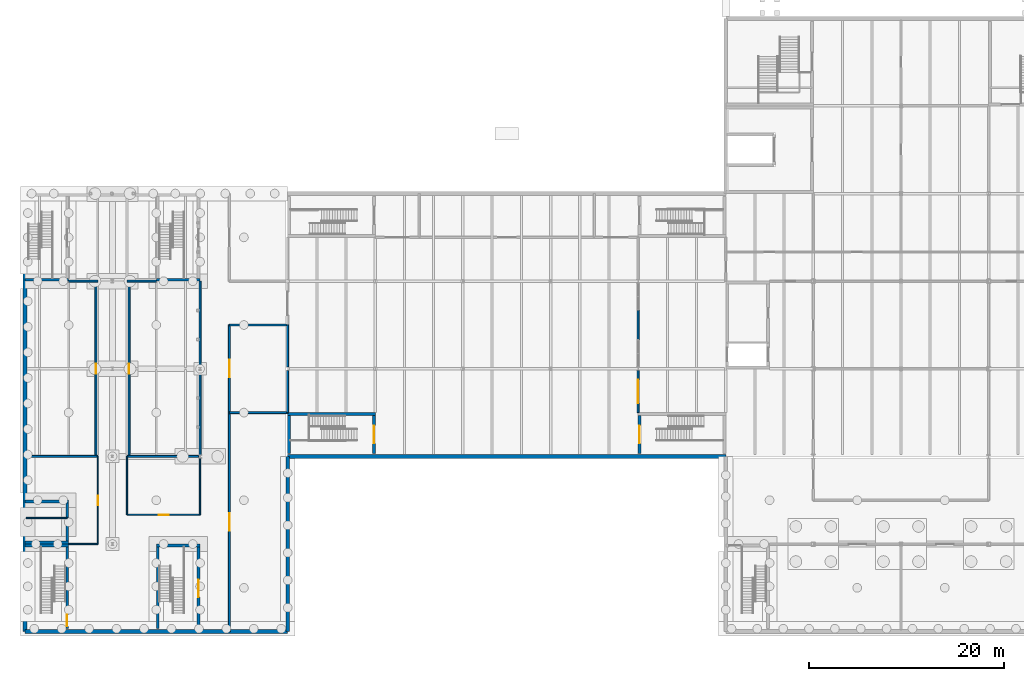
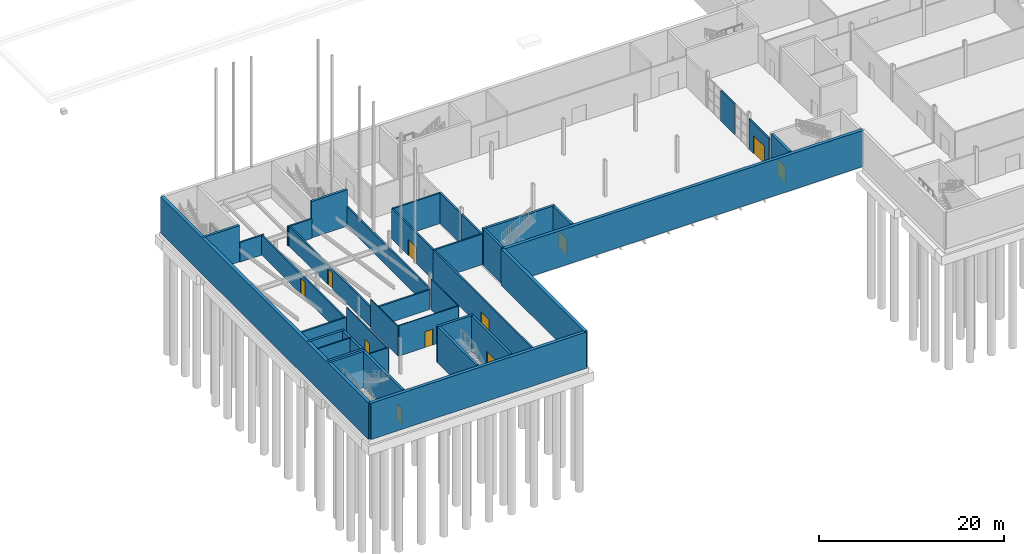
# One storey, part 16 of 31: 40 walls, 11 doors, 11 openings.
"""IFC4 building model written with IfcOpenShell, lengths in metres."""

from ifc_helpers import new_model, si_unit, direction, frame, frame_2d, origin, origin_with_axes, place, context, subcontext, project, spatial, rectangle, extrude, material, layer, layer_set, type_object, element, fill, save


model = new_model("IFC4")

# Units and contexts
model_context = context("Model", 3, precision=1e-05, world=origin(), true_north=direction((0.0, 1.0)))
body_context = subcontext(model_context, "Body", "Model", "MODEL_VIEW")
ifc_project = project(units=[si_unit("LENGTHUNIT", "METRE"), si_unit("AREAUNIT", "SQUARE_METRE"), si_unit("VOLUMEUNIT", "CUBIC_METRE"), si_unit("PLANEANGLEUNIT", "RADIAN"), si_unit("MASSUNIT", "GRAM", prefix="KILO")], contexts=[model_context])

# Site, building, storey
site_placement = place(None, origin())
site = spatial("IfcSite", under=ifc_project, at=site_placement, CompositionType="ELEMENT")
building_placement = place(site_placement, origin())
building = spatial("IfcBuilding", under=site, at=building_placement, Name="Halyard Row Museum", CompositionType="ELEMENT")
storey_placement = place(building_placement, frame((0.0, 0.0, -4.800048828125)))
storey = spatial("IfcBuildingStorey", under=building, at=storey_placement, Name="B1", CompositionType="ELEMENT", Elevation=-4.800048828125)

# Walls
ifc_material_1 = material(Name="Concrete 40 MPa", Category="concrete")
ifc_layer_1 = layer(ifc_material_1, 0.39990234375)
ifc_layer_set_1 = layer_set([ifc_layer_1], Name="Concrete 40 MPa")
wall_type_1 = type_object("IfcWallType", Name="Basement retaining wall", PredefinedType="SOLIDWALL", material=ifc_layer_set_1)
wall_1_placement = place(storey_placement, frame((27.0, 0.0, 0.0), z_axis=(0.0, 0.0, 1.0), x_axis=(0.0, 1.0, 0.0)))
element("IfcWall", 1, at=wall_1_placement, inside=storey, type_object=wall_type_1, Name="Retaining wall B1 E1", PredefinedType="SOLIDWALL", context=body_context, shape_type="SweptSolid", body=[
    extrude(rectangle(XDim=18.0, YDim=0.39990234375, at=frame_2d((9.0, 0.0))), origin(), (0.0, 0.0, 1.0), 4.800048828125),
])
wall_2_placement = place(storey_placement, origin_with_axes())
element("IfcWall", 2, at=wall_2_placement, inside=storey, type_object=wall_type_1, Name="Retaining wall B1 N1", PredefinedType="SOLIDWALL", context=body_context, shape_type="SweptSolid", body=[
    extrude(rectangle(XDim=27.0, YDim=0.39990234375, at=frame_2d((13.5, 0.0))), origin(), (0.0, 0.0, 1.0), 4.800048828125),
])
for number, where, z_axis, x_axis, name in (
    (3, (27.0, 18.0, 0.0), (0.0, 0.0, 1.0), (1.0, 0.0, 0.0), "Retaining wall B1 N3"),
    (4, (0.0, 0.0, 0.0), (0.0, 0.0, 1.0), (0.0, 1.0, 0.0), "Retaining wall B1 W1"),
):
    element("IfcWall", number, at=place(storey_placement, frame(where, z_axis=z_axis, x_axis=x_axis)), inside=storey, type_object=wall_type_1, Name=name, PredefinedType="SOLIDWALL", context=body_context, shape_type="SweptSolid", body=[
        extrude(rectangle(XDim=45.0, YDim=0.39990234375, at=frame_2d((22.5, 0.0))), origin(), (0.0, 0.0, 1.0), 4.800048828125),
    ])

# Wall, opening, door
ifc_material_2 = material(Name="Concrete masonry 15 MPa", Category="masonry")
ifc_layer_2 = layer(ifc_material_2, 0.199951171875)
ifc_layer_set_2 = layer_set([ifc_layer_2], Name="Concrete masonry 15 MPa")
wall_type_2 = type_object("IfcWallType", Name="Blockwork wall 200 fire rated", PredefinedType="PARTITIONING", material=ifc_layer_set_2)
wall_3_placement = place(storey_placement, frame((7.291015625, 18.0, 0.0), z_axis=(0.0, 0.0, 1.0), x_axis=(0.0, 1.0, 0.0)))
wall_3 = element("IfcWall", 5, at=wall_3_placement, inside=storey, type_object=wall_type_2, Name="Partition Service Link / Scenery Store West", PredefinedType="PARTITIONING", context=body_context, shape_type="SweptSolid", body=[
    extrude(rectangle(XDim=18.0, YDim=0.199951171875, at=frame_2d((9.0, 0.0))), origin(), (0.0, 0.0, 1.0), 2.60009765625),
])
opening_1_placement = place(wall_3_placement, frame((8.510009765625, 0.0, 0.0)))
opening_1 = element("IfcOpeningElement", 6, at=opening_1_placement, cuts=wall_3, Name="Opening DB1-027", PredefinedType="OPENING", context=body_context, shape_type="SweptSolid", body=[
    extrude(rectangle(XDim=1.0, YDim=2.10009765625, at=frame_2d((0.5, 1.050048828125))), frame((0.0, 0.10986328125, 0.0), z_axis=(0.0, -1.0, 0.0), x_axis=(1.0, 0.0, 0.0)), (0.0, 0.0, 1.0), 0.219970703125),
])
ifc_material_3 = material(Name="Timber veneered door leaf and softwood frame", Category="wood")
door_type_1 = type_object("IfcDoorType", Name="Single door 1000 x 2100 fire rated", OperationType="NOTDEFINED", PredefinedType="DOOR", material=ifc_material_3)
door_1_placement = place(opening_1_placement, origin())
door_1 = element("IfcDoor", 7, at=door_1_placement, inside=storey, type_object=door_type_1, Name="Door Scenery Store West to Service Link", OperationType="SINGLE_SWING_RIGHT", OverallHeight=2.10009765625, OverallWidth=1.0, PredefinedType="DOOR", context=body_context, shape_type="SweptSolid", body=[
    extrude(rectangle(XDim=1.0, YDim=2.10009765625, at=frame_2d((0.5, 1.050048828125))), frame((0.0, 0.02490234375, 0.0), z_axis=(0.0, -1.0, 0.0), x_axis=(1.0, 0.0, 0.0)), (0.0, 0.0, 1.0), 0.050048828125),
])
fill(opening_1, door_1)

wall_4_placement = place(storey_placement, frame((10.708984375, 18.0, 0.0), z_axis=(0.0, 0.0, 1.0), x_axis=(0.0, 1.0, 0.0)))
wall_4 = element("IfcWall", 8, at=wall_4_placement, inside=storey, type_object=wall_type_2, Name="Partition Service Link / Scenery Store East", PredefinedType="PARTITIONING", context=body_context, shape_type="SweptSolid", body=[
    extrude(rectangle(XDim=18.0, YDim=0.199951171875, at=frame_2d((9.0, 0.0))), origin(), (0.0, 0.0, 1.0), 2.60009765625),
])
opening_2_placement = place(wall_4_placement, frame((8.510009765625, 0.0, 0.0)))
opening_2 = element("IfcOpeningElement", 9, at=opening_2_placement, cuts=wall_4, Name="Opening DB1-028", PredefinedType="OPENING", context=body_context, shape_type="SweptSolid", body=[
    extrude(rectangle(XDim=1.0, YDim=2.10009765625, at=frame_2d((0.5, 1.050048828125))), frame((0.0, 0.10986328125, 0.0), z_axis=(0.0, -1.0, 0.0), x_axis=(1.0, 0.0, 0.0)), (0.0, 0.0, 1.0), 0.219970703125),
])
door_2_placement = place(opening_2_placement, frame((1.0, 0.0, 0.0), z_axis=(0.0, 0.0, 1.0), x_axis=(-1.0, 0.0, 0.0)))
door_2 = element("IfcDoor", 10, at=door_2_placement, inside=storey, type_object=door_type_1, Name="Door Scenery Store East to Service Link", OperationType="SINGLE_SWING_RIGHT", OverallHeight=2.10009765625, OverallWidth=1.0, PredefinedType="DOOR", context=body_context, shape_type="SweptSolid", body=[
    extrude(rectangle(XDim=1.0, YDim=2.10009765625, at=frame_2d((0.5, 1.050048828125))), frame((0.0, 0.02490234375, 0.0), z_axis=(0.0, -1.0, 0.0), x_axis=(1.0, 0.0, 0.0)), (0.0, 0.0, 1.0), 0.050048828125),
])
fill(opening_2, door_2)

# Walls
wall_5_placement = place(storey_placement, frame((0.199951171875, 18.0, 0.0), z_axis=(0.0, 0.0, 1.0), x_axis=(1.0, 0.0, 0.0)))
element("IfcWall", 11, at=wall_5_placement, inside=storey, type_object=wall_type_2, Name="Partition Green Room / Scenery Store West", PredefinedType="PARTITIONING", context=body_context, shape_type="SweptSolid", body=[
    extrude(rectangle(XDim=7.300048828125, YDim=0.199951171875, at=frame_2d((3.64990234375, 0.0))), origin(), (0.0, 0.0, 1.0), 2.60009765625),
])
wall_6_placement = place(storey_placement, frame((10.5, 18.0, 0.0), z_axis=(0.0, 0.0, 1.0), x_axis=(1.0, 0.0, 0.0)))
element("IfcWall", 12, at=wall_6_placement, inside=storey, type_object=wall_type_2, Name="Partition Dressing Room / Scenery Store East", PredefinedType="PARTITIONING", context=body_context, shape_type="SweptSolid", body=[
    extrude(rectangle(XDim=7.344482421875, YDim=0.199951171875, at=frame_2d((3.67236328125, 0.0))), origin(), (0.0, 0.0, 1.0), 2.60009765625),
])
for number, where, z_axis, x_axis, name in (
    (13, (4.5, 36.0, 0.0), (0.0, 0.0, 1.0), (1.0, 0.0, 0.0), "Partition Scenery Store West / Wing Corridor"),
    (14, (10.5, 36.0, 0.0), (0.0, 0.0, 1.0), (1.0, 0.0, 0.0), "Partition Scenery Store East / Wing Corridor"),
):
    element("IfcWall", number, at=place(storey_placement, frame(where, z_axis=z_axis, x_axis=x_axis)), inside=storey, type_object=wall_type_2, Name=name, PredefinedType="PARTITIONING", context=body_context, shape_type="SweptSolid", body=[
        extrude(rectangle(XDim=3.0, YDim=0.199951171875, at=frame_2d((1.5, 0.0))), origin(), (0.0, 0.0, 1.0), 2.60009765625),
    ])
wall_7_placement = place(storey_placement, frame((18.0, 18.16357421875, 0.0), z_axis=(0.0, 0.0, 1.0), x_axis=(0.0, 1.0, 0.0)))
element("IfcWall", 15, at=wall_7_placement, inside=storey, type_object=wall_type_2, Name="Partition Scenery Store East / Services Corridor", PredefinedType="PARTITIONING", context=body_context, shape_type="SweptSolid", body=[
    extrude(rectangle(XDim=8.96337890625, YDim=0.199951171875, at=frame_2d((4.481689453125, 0.0))), origin(), (0.0, 0.0, 1.0), 2.60009765625),
])
wall_8_placement = place(storey_placement, frame((18.0, 27.126953125, 0.0), z_axis=(0.0, 0.0, 1.0), x_axis=(0.0, 1.0, 0.0)))
element("IfcWall", 16, at=wall_8_placement, inside=storey, type_object=wall_type_2, Name="Partition Scenery Store East / Services Corridor", PredefinedType="PARTITIONING", context=body_context, shape_type="SweptSolid", body=[
    extrude(rectangle(XDim=8.873046875, YDim=0.199951171875, at=frame_2d((4.4365234375, 0.0))), origin(), (0.0, 0.0, 1.0), 2.60009765625),
])
ifc_material_4 = material(Name="Concrete 40 MPa", Category="concrete")
ifc_layer_3 = layer(ifc_material_4, 0.300048828125)
ifc_layer_set_3 = layer_set([ifc_layer_3], Name="Concrete 40 MPa")
wall_type_3 = type_object("IfcWallType", Name="Core wall 300 lift shaft", PredefinedType="SOLIDWALL", material=ifc_layer_set_3)
wall_9_placement = place(storey_placement, frame((0.0, 9.14990234375, 0.0), z_axis=(0.0, 0.0, 1.0), x_axis=(1.0, 0.0, 0.0)))
element("IfcWall", 17, at=wall_9_placement, inside=storey, type_object=wall_type_3, Name="Core wall K6 S B1", PredefinedType="SOLIDWALL", context=body_context, shape_type="SweptSolid", body=[
    extrude(rectangle(XDim=4.5, YDim=0.300048828125, at=frame_2d((2.25, 0.0))), origin(), (0.0, 0.0, 1.0), 4.800048828125),
])
wall_10_placement = place(storey_placement, frame((4.35009765625, 9.300048828125, 0.0), z_axis=(0.0, 0.0, 1.0), x_axis=(0.0, 1.0, 0.0)))
element("IfcWall", 18, at=wall_10_placement, inside=storey, type_object=wall_type_3, Name="Core wall K6 E B1", PredefinedType="SOLIDWALL", context=body_context, shape_type="SweptSolid", body=[
    extrude(rectangle(XDim=3.89990234375, YDim=0.300048828125, at=frame_2d((1.949951171875, 0.0))), origin(), (0.0, 0.0, 1.0), 4.800048828125),
])
wall_11_placement = place(storey_placement, frame((0.0, 13.35009765625, 0.0), z_axis=(0.0, 0.0, 1.0), x_axis=(1.0, 0.0, 0.0)))
element("IfcWall", 19, at=wall_11_placement, inside=storey, type_object=wall_type_3, Name="Core wall K6 N B1", PredefinedType="SOLIDWALL", context=body_context, shape_type="SweptSolid", body=[
    extrude(rectangle(XDim=4.5, YDim=0.300048828125, at=frame_2d((2.25, 0.0))), origin(), (0.0, 0.0, 1.0), 4.800048828125),
])

# Wall, opening, door
ifc_material_5 = material(Name="Concrete 40 MPa", Category="concrete")
ifc_layer_4 = layer(ifc_material_5, 0.300048828125)
ifc_layer_set_4 = layer_set([ifc_layer_4], Name="Concrete 40 MPa")
wall_type_4 = type_object("IfcWallType", Name="Exitway wall 300 reinforced concrete", PredefinedType="SOLIDWALL", material=ifc_layer_set_4)
wall_12_placement = place(storey_placement, frame((63.14990234375, 18.300048828125, 0.0), z_axis=(0.0, 0.0, 1.0), x_axis=(0.0, 1.0, 0.0)))
wall_12 = element("IfcWall", 20, at=wall_12_placement, inside=storey, type_object=wall_type_4, Name="Core wall K1C W B1", PredefinedType="SOLIDWALL", context=body_context, shape_type="SweptSolid", body=[
    extrude(rectangle(XDim=3.89990234375, YDim=0.300048828125, at=frame_2d((1.949951171875, 0.0))), origin(), (0.0, 0.0, 1.0), 4.800048828125),
])
opening_3_placement = place(wall_12_placement, frame((1.050048828125, 0.0, 0.0)))
opening_3 = element("IfcOpeningElement", 21, at=opening_3_placement, cuts=wall_12, Name="Opening DB1-003", PredefinedType="OPENING", context=body_context, shape_type="SweptSolid", body=[
    extrude(rectangle(XDim=1.800048828125, YDim=2.10009765625, at=frame_2d((0.89990234375, 1.050048828125))), frame((0.0, 0.159912109375, 0.0), z_axis=(0.0, -1.0, 0.0), x_axis=(1.0, 0.0, 0.0)), (0.0, 0.0, 1.0), 0.320068359375),
])
ifc_material_6 = material(Name="Fire-resisting timber door leaf and steel frame", Category="steel")
door_type_2 = type_object("IfcDoorType", Name="Exitway door 1800 x 2100 fire rated", OperationType="NOTDEFINED", PredefinedType="DOOR", material=ifc_material_6)
door_3_placement = place(opening_3_placement, frame((1.800048828125, 0.0, 0.0), z_axis=(0.0, 0.0, 1.0), x_axis=(-1.0, 0.0, 0.0)))
door_3 = element("IfcDoor", 22, at=door_3_placement, inside=storey, type_object=door_type_2, Name="Exitway door K1C B1", OperationType="DOUBLE_DOOR_SINGLE_SWING", OverallHeight=2.10009765625, OverallWidth=1.800048828125, PredefinedType="DOOR", context=body_context, shape_type="SweptSolid", body=[
    extrude(rectangle(XDim=1.800048828125, YDim=2.10009765625, at=frame_2d((0.89990234375, 1.050048828125))), frame((0.0, 0.02490234375, 0.0), z_axis=(0.0, -1.0, 0.0), x_axis=(1.0, 0.0, 0.0)), (0.0, 0.0, 1.0), 0.050048828125),
])
fill(opening_3, door_3)

wall_13_placement = place(storey_placement, frame((35.85009765625, 18.300048828125, 0.0), z_axis=(0.0, 0.0, 1.0), x_axis=(0.0, 1.0, 0.0)))
wall_13 = element("IfcWall", 23, at=wall_13_placement, inside=storey, type_object=wall_type_4, Name="Core wall K1D E B1", PredefinedType="SOLIDWALL", context=body_context, shape_type="SweptSolid", body=[
    extrude(rectangle(XDim=3.89990234375, YDim=0.300048828125, at=frame_2d((1.949951171875, 0.0))), origin(), (0.0, 0.0, 1.0), 4.800048828125),
])
opening_4_placement = place(wall_13_placement, frame((1.050048828125, 0.0, 0.0)))
opening_4 = element("IfcOpeningElement", 24, at=opening_4_placement, cuts=wall_13, Name="Opening DB1-004", PredefinedType="OPENING", context=body_context, shape_type="SweptSolid", body=[
    extrude(rectangle(XDim=1.800048828125, YDim=2.10009765625, at=frame_2d((0.89990234375, 1.050048828125))), frame((0.0, 0.159912109375, 0.0), z_axis=(0.0, -1.0, 0.0), x_axis=(1.0, 0.0, 0.0)), (0.0, 0.0, 1.0), 0.320068359375),
])
door_4_placement = place(opening_4_placement, origin())
door_4 = element("IfcDoor", 25, at=door_4_placement, inside=storey, type_object=door_type_2, Name="Exitway door K1D B1", OperationType="DOUBLE_DOOR_SINGLE_SWING", OverallHeight=2.10009765625, OverallWidth=1.800048828125, PredefinedType="DOOR", context=body_context, shape_type="SweptSolid", body=[
    extrude(rectangle(XDim=1.800048828125, YDim=2.10009765625, at=frame_2d((0.89990234375, 1.050048828125))), frame((0.0, 0.02490234375, 0.0), z_axis=(0.0, -1.0, 0.0), x_axis=(1.0, 0.0, 0.0)), (0.0, 0.0, 1.0), 0.050048828125),
])
fill(opening_4, door_4)

# Walls
wall_14_placement = place(storey_placement, frame((27.0, 22.35009765625, 0.0), z_axis=(0.0, 0.0, 1.0), x_axis=(1.0, 0.0, 0.0)))
element("IfcWall", 26, at=wall_14_placement, inside=storey, type_object=wall_type_4, Name="Core wall K1D N B1", PredefinedType="SOLIDWALL", context=body_context, shape_type="SweptSolid", body=[
    extrude(rectangle(XDim=9.0, YDim=0.300048828125, at=frame_2d((4.5, 0.0))), origin(), (0.0, 0.0, 1.0), 4.800048828125),
])
wall_15_placement = place(storey_placement, frame((27.14990234375, 18.300048828125, 0.0), z_axis=(0.0, 0.0, 1.0), x_axis=(0.0, 1.0, 0.0)))
element("IfcWall", 27, at=wall_15_placement, inside=storey, type_object=wall_type_4, Name="Core wall K1D W B1", PredefinedType="SOLIDWALL", context=body_context, shape_type="SweptSolid", body=[
    extrude(rectangle(XDim=3.89990234375, YDim=0.300048828125, at=frame_2d((1.949951171875, 0.0))), origin(), (0.0, 0.0, 1.0), 4.800048828125),
])

# Wall, opening, door
wall_16_placement = place(storey_placement, frame((17.85009765625, 0.300048828125, 0.0), z_axis=(0.0, 0.0, 1.0), x_axis=(0.0, 1.0, 0.0)))
wall_16 = element("IfcWall", 28, at=wall_16_placement, inside=storey, type_object=wall_type_4, Name="Core wall K3E E B1", PredefinedType="SOLIDWALL", context=body_context, shape_type="SweptSolid", body=[
    extrude(rectangle(XDim=8.39990234375, YDim=0.300048828125, at=frame_2d((4.199951171875, 0.0))), origin(), (0.0, 0.0, 1.0), 4.800048828125),
])
opening_5_placement = place(wall_16_placement, frame((3.25, 0.0, 0.0)))
opening_5 = element("IfcOpeningElement", 29, at=opening_5_placement, cuts=wall_16, Name="Opening DB1-008", PredefinedType="OPENING", context=body_context, shape_type="SweptSolid", body=[
    extrude(rectangle(XDim=1.800048828125, YDim=2.10009765625, at=frame_2d((0.89990234375, 1.050048828125))), frame((0.0, 0.159912109375, 0.0), z_axis=(0.0, -1.0, 0.0), x_axis=(1.0, 0.0, 0.0)), (0.0, 0.0, 1.0), 0.320068359375),
])
door_5_placement = place(opening_5_placement, origin())
door_5 = element("IfcDoor", 30, at=door_5_placement, inside=storey, type_object=door_type_2, Name="Exitway door K3E B1", OperationType="DOUBLE_DOOR_SINGLE_SWING", OverallHeight=2.10009765625, OverallWidth=1.800048828125, PredefinedType="DOOR", context=body_context, shape_type="SweptSolid", body=[
    extrude(rectangle(XDim=1.800048828125, YDim=2.10009765625, at=frame_2d((0.89990234375, 1.050048828125))), frame((0.0, 0.02490234375, 0.0), z_axis=(0.0, -1.0, 0.0), x_axis=(1.0, 0.0, 0.0)), (0.0, 0.0, 1.0), 0.050048828125),
])
fill(opening_5, door_5)

# Walls
wall_17_placement = place(storey_placement, frame((13.5, 8.85009765625, 0.0), z_axis=(0.0, 0.0, 1.0), x_axis=(1.0, 0.0, 0.0)))
element("IfcWall", 31, at=wall_17_placement, inside=storey, type_object=wall_type_4, Name="Core wall K3E N B1", PredefinedType="SOLIDWALL", context=body_context, shape_type="SweptSolid", body=[
    extrude(rectangle(XDim=4.5, YDim=0.300048828125, at=frame_2d((2.25, 0.0))), origin(), (0.0, 0.0, 1.0), 4.800048828125),
])
wall_18_placement = place(storey_placement, frame((13.64990234375, 0.300048828125, 0.0), z_axis=(0.0, 0.0, 1.0), x_axis=(0.0, 1.0, 0.0)))
element("IfcWall", 32, at=wall_18_placement, inside=storey, type_object=wall_type_4, Name="Core wall K3E W B1", PredefinedType="SOLIDWALL", context=body_context, shape_type="SweptSolid", body=[
    extrude(rectangle(XDim=8.39990234375, YDim=0.300048828125, at=frame_2d((4.199951171875, 0.0))), origin(), (0.0, 0.0, 1.0), 4.800048828125),
])
wall_19_placement = place(storey_placement, frame((13.5, 36.14990234375, 0.0), z_axis=(0.0, 0.0, 1.0), x_axis=(1.0, 0.0, 0.0)))
element("IfcWall", 33, at=wall_19_placement, inside=storey, type_object=wall_type_4, Name="Core wall K3N S B1", PredefinedType="SOLIDWALL", context=body_context, shape_type="SweptSolid", body=[
    extrude(rectangle(XDim=4.5, YDim=0.300048828125, at=frame_2d((2.25, 0.0))), origin(), (0.0, 0.0, 1.0), 4.800048828125),
])

# Wall, opening, door
wall_20_placement = place(storey_placement, frame((4.35009765625, 0.300048828125, 0.0), z_axis=(0.0, 0.0, 1.0), x_axis=(0.0, 1.0, 0.0)))
wall_20 = element("IfcWall", 34, at=wall_20_placement, inside=storey, type_object=wall_type_4, Name="Core wall K3S E B1", PredefinedType="SOLIDWALL", context=body_context, shape_type="SweptSolid", body=[
    extrude(rectangle(XDim=8.39990234375, YDim=0.300048828125, at=frame_2d((4.199951171875, 0.0))), origin(), (0.0, 0.0, 1.0), 4.800048828125),
])
opening_6_placement = place(wall_20_placement, frame((0.25, 0.0, 0.0)))
opening_6 = element("IfcOpeningElement", 35, at=opening_6_placement, cuts=wall_20, Name="Opening DB1-010", PredefinedType="OPENING", context=body_context, shape_type="SweptSolid", body=[
    extrude(rectangle(XDim=1.199951171875, YDim=2.10009765625, at=frame_2d((0.60009765625, 1.050048828125))), frame((0.0, 0.159912109375, 0.0), z_axis=(0.0, -1.0, 0.0), x_axis=(1.0, 0.0, 0.0)), (0.0, 0.0, 1.0), 0.320068359375),
])
ifc_material_7 = material(Name="Fire-resisting timber door leaf and steel frame", Category="steel")
door_type_3 = type_object("IfcDoorType", Name="Exitway door 1200 x 2100 fire rated", OperationType="NOTDEFINED", PredefinedType="DOOR", material=ifc_material_7)
door_6_placement = place(opening_6_placement, origin())
door_6 = element("IfcDoor", 36, at=door_6_placement, inside=storey, type_object=door_type_3, Name="Exitway door K3S B1", OperationType="SINGLE_SWING_RIGHT", OverallHeight=2.10009765625, OverallWidth=1.199951171875, PredefinedType="DOOR", context=body_context, shape_type="SweptSolid", body=[
    extrude(rectangle(XDim=1.199951171875, YDim=2.10009765625, at=frame_2d((0.60009765625, 1.050048828125))), frame((0.0, 0.02490234375, 0.0), z_axis=(0.0, -1.0, 0.0), x_axis=(1.0, 0.0, 0.0)), (0.0, 0.0, 1.0), 0.050048828125),
])
fill(opening_6, door_6)

# Walls
for number, where, z_axis, x_axis, name in (
    (37, (0.0, 8.85009765625, 0.0), (0.0, 0.0, 1.0), (1.0, 0.0, 0.0), "Core wall K3S N B1"),
    (38, (0.0, 36.14990234375, 0.0), (0.0, 0.0, 1.0), (1.0, 0.0, 0.0), "Core wall K3W S B1"),
):
    element("IfcWall", number, at=place(storey_placement, frame(where, z_axis=z_axis, x_axis=x_axis)), inside=storey, type_object=wall_type_4, Name=name, PredefinedType="SOLIDWALL", context=body_context, shape_type="SweptSolid", body=[
        extrude(rectangle(XDim=4.5, YDim=0.300048828125, at=frame_2d((2.25, 0.0))), origin(), (0.0, 0.0, 1.0), 4.800048828125),
    ])

# Wall, opening, door
ifc_material_8 = material(Name="Plasterboard on steel studs with mineral wool", Category="steel")
ifc_layer_5 = layer(ifc_material_8, 0.199951171875)
ifc_layer_set_5 = layer_set([ifc_layer_5], Name="Plasterboard on steel studs with mineral wool")
wall_type_5 = type_object("IfcWallType", Name="Gallery wall 200 double stud fire rated", PredefinedType="PARTITIONING", material=ifc_layer_set_5)
wall_21_placement = place(storey_placement, frame((63.0, 22.5, 0.0), z_axis=(0.0, 0.0, 1.0), x_axis=(0.0, 1.0, 0.0)))
wall_21 = element("IfcWall", 39, at=wall_21_placement, inside=storey, type_object=wall_type_5, Name="Partition Visible Storage Gallery / Lift Lobby B1 West", PredefinedType="PARTITIONING", context=body_context, shape_type="SweptSolid", body=[
    extrude(rectangle(XDim=4.33056640625, YDim=0.199951171875, at=frame_2d((2.165283203125, 0.0))), origin(), (0.0, 0.0, 1.0), 4.0234375),
])
opening_7_placement = place(wall_21_placement, frame((0.949951171875, 0.0, 0.0)))
opening_7 = element("IfcOpeningElement", 40, at=opening_7_placement, cuts=wall_21, Name="Opening DB1-019", PredefinedType="OPENING", context=body_context, shape_type="SweptSolid", body=[
    extrude(rectangle(XDim=2.39990234375, YDim=2.39990234375, at=frame_2d((1.199951171875, 1.199951171875))), frame((0.0, 0.10986328125, 0.0), z_axis=(0.0, -1.0, 0.0), x_axis=(1.0, 0.0, 0.0)), (0.0, 0.0, 1.0), 0.219970703125),
])
ifc_material_9 = material(Name="Timber veneered door leaf and softwood frame", Category="wood")
door_type_4 = type_object("IfcDoorType", Name="Double door 2400 x 2400 gallery fire rated", OperationType="NOTDEFINED", PredefinedType="DOOR", material=ifc_material_9)
door_7_placement = place(opening_7_placement, origin())
door_7 = element("IfcDoor", 41, at=door_7_placement, inside=storey, type_object=door_type_4, Name="Door Visible Storage Gallery to Lift Lobby B1 West", OperationType="DOUBLE_DOOR_SINGLE_SWING", OverallHeight=2.39990234375, OverallWidth=2.39990234375, PredefinedType="DOOR", context=body_context, shape_type="SweptSolid", body=[
    extrude(rectangle(XDim=2.39990234375, YDim=2.39990234375, at=frame_2d((1.199951171875, 1.199951171875))), frame((0.0, 0.02490234375, 0.0), z_axis=(0.0, -1.0, 0.0), x_axis=(1.0, 0.0, 0.0)), (0.0, 0.0, 1.0), 0.050048828125),
])
fill(opening_7, door_7)

# Walls
wall_22_placement = place(storey_placement, frame((63.0, 30.0, 0.0), z_axis=(0.0, 0.0, 1.0), x_axis=(0.0, 1.0, 0.0)))
element("IfcWall", 42, at=wall_22_placement, inside=storey, type_object=wall_type_5, Name="Partition Visible Storage Gallery / Lift Lobby B1 West", PredefinedType="PARTITIONING", context=body_context, shape_type="SweptSolid", body=[
    extrude(rectangle(XDim=3.0, YDim=0.199951171875, at=frame_2d((1.5, 0.0))), origin(), (0.0, 0.0, 1.0), 4.0234375),
])
ifc_material_10 = material(Name="Concrete 40 MPa", Category="concrete")
ifc_layer_6 = layer(ifc_material_10, 0.14990234375)
ifc_layer_set_6 = layer_set([ifc_layer_6], Name="Concrete 40 MPa")
wall_type_6 = type_object("IfcWallType", Name="Lift shaft divider 150", PredefinedType="SOLIDWALL", material=ifc_layer_set_6)
wall_23_placement = place(storey_placement, frame((0.14990234375, 11.675048828125, 0.0), z_axis=(0.0, 0.0, 1.0), x_axis=(1.0, 0.0, 0.0)))
element("IfcWall", 43, at=wall_23_placement, inside=storey, type_object=wall_type_6, Name="Shaft divider PL2 B1", PredefinedType="SOLIDWALL", context=body_context, shape_type="SweptSolid", body=[
    extrude(rectangle(XDim=4.2001953125, YDim=0.14990234375, at=frame_2d((2.10009765625, 0.0))), origin(), (0.0, 0.0, 1.0), 4.800048828125),
])

# Wall, opening, door
ifc_material_11 = material(Name="Concrete masonry 15 MPa", Category="masonry")
ifc_layer_7 = layer(ifc_material_11, 0.199951171875)
ifc_layer_set_7 = layer_set([ifc_layer_7], Name="Concrete masonry 15 MPa")
wall_type_7 = type_object("IfcWallType", Name="Plant room wall 200 fire rated", PredefinedType="PARTITIONING", material=ifc_layer_set_7)
wall_24_placement = place(storey_placement, frame((21.0, 0.0, 0.0), z_axis=(0.0, 0.0, 1.0), x_axis=(0.0, 1.0, 0.0)))
wall_24 = element("IfcWall", 44, at=wall_24_placement, inside=storey, type_object=wall_type_7, Name="Partition Services Corridor / Services Plant Room", PredefinedType="PARTITIONING", context=body_context, shape_type="SweptSolid", body=[
    extrude(rectangle(XDim=22.5, YDim=0.199951171875, at=frame_2d((11.25, 0.0))), origin(), (0.0, 0.0, 1.0), 4.0234375),
])
opening_8_placement = place(wall_24_placement, frame((10.35009765625, 0.0, 0.0)))
opening_8 = element("IfcOpeningElement", 45, at=opening_8_placement, cuts=wall_24, Name="Opening DB1-029", PredefinedType="OPENING", context=body_context, shape_type="SweptSolid", body=[
    extrude(rectangle(XDim=1.800048828125, YDim=2.10009765625, at=frame_2d((0.89990234375, 1.050048828125))), frame((0.0, 0.10986328125, 0.0), z_axis=(0.0, -1.0, 0.0), x_axis=(1.0, 0.0, 0.0)), (0.0, 0.0, 1.0), 0.219970703125),
])
ifc_material_12 = material(Name="Galvanised steel door leaf and frame", Category="steel")
door_type_5 = type_object("IfcDoorType", Name="Plant room door 1800 x 2100 fire rated", OperationType="NOTDEFINED", PredefinedType="DOOR", material=ifc_material_12)
door_8_placement = place(opening_8_placement, frame((1.800048828125, 0.0, 0.0), z_axis=(0.0, 0.0, 1.0), x_axis=(-1.0, 0.0, 0.0)))
door_8 = element("IfcDoor", 46, at=door_8_placement, inside=storey, type_object=door_type_5, Name="Door Services Plant Room to Services Corridor", OperationType="DOUBLE_DOOR_SINGLE_SWING", OverallHeight=2.10009765625, OverallWidth=1.800048828125, PredefinedType="DOOR", context=body_context, shape_type="SweptSolid", body=[
    extrude(rectangle(XDim=1.800048828125, YDim=2.10009765625, at=frame_2d((0.89990234375, 1.050048828125))), frame((0.0, 0.02490234375, 0.0), z_axis=(0.0, -1.0, 0.0), x_axis=(1.0, 0.0, 0.0)), (0.0, 0.0, 1.0), 0.050048828125),
])
fill(opening_8, door_8)

wall_25_placement = place(storey_placement, frame((21.0, 22.5, 0.0), z_axis=(0.0, 0.0, 1.0), x_axis=(0.0, 1.0, 0.0)))
wall_25 = element("IfcWall", 47, at=wall_25_placement, inside=storey, type_object=wall_type_7, Name="Partition Services Corridor / Switch Room", PredefinedType="PARTITIONING", context=body_context, shape_type="SweptSolid", body=[
    extrude(rectangle(XDim=9.0, YDim=0.199951171875, at=frame_2d((4.5, 0.0))), origin(), (0.0, 0.0, 1.0), 4.0234375),
])
opening_9_placement = place(wall_25_placement, frame((3.610107421875, 0.0, 0.0)))
opening_9 = element("IfcOpeningElement", 48, at=opening_9_placement, cuts=wall_25, Name="Opening DB1-030", PredefinedType="OPENING", context=body_context, shape_type="SweptSolid", body=[
    extrude(rectangle(XDim=1.800048828125, YDim=2.10009765625, at=frame_2d((0.89990234375, 1.050048828125))), frame((0.0, 0.10986328125, 0.0), z_axis=(0.0, -1.0, 0.0), x_axis=(1.0, 0.0, 0.0)), (0.0, 0.0, 1.0), 0.219970703125),
])
door_9_placement = place(opening_9_placement, frame((1.800048828125, 0.0, 0.0), z_axis=(0.0, 0.0, 1.0), x_axis=(-1.0, 0.0, 0.0)))
door_9 = element("IfcDoor", 49, at=door_9_placement, inside=storey, type_object=door_type_5, Name="Door Switch Room to Services Corridor", OperationType="DOUBLE_DOOR_SINGLE_SWING", OverallHeight=2.10009765625, OverallWidth=1.800048828125, PredefinedType="DOOR", context=body_context, shape_type="SweptSolid", body=[
    extrude(rectangle(XDim=1.800048828125, YDim=2.10009765625, at=frame_2d((0.89990234375, 1.050048828125))), frame((0.0, 0.02490234375, 0.0), z_axis=(0.0, -1.0, 0.0), x_axis=(1.0, 0.0, 0.0)), (0.0, 0.0, 1.0), 0.050048828125),
])
fill(opening_9, door_9)

# Walls
for number, where, z_axis, x_axis, name in (
    (50, (21.0, 31.5, 0.0), (0.0, 0.0, 1.0), (1.0, 0.0, 0.0), "Partition Services Corridor / Switch Room"),
    (51, (21.0, 22.5, 0.0), (0.0, 0.0, 1.0), (1.0, 0.0, 0.0), "Partition Services Plant Room / Switch Room"),
):
    element("IfcWall", number, at=place(storey_placement, frame(where, z_axis=z_axis, x_axis=x_axis)), inside=storey, type_object=wall_type_7, Name=name, PredefinedType="PARTITIONING", context=body_context, shape_type="SweptSolid", body=[
        extrude(rectangle(XDim=6.0, YDim=0.199951171875, at=frame_2d((3.0, 0.0))), origin(), (0.0, 0.0, 1.0), 4.0234375),
    ])
for number, where, z_axis, x_axis, name in (
    (52, (27.0, 22.5, 0.0), (0.0, 0.0, 1.0), (0.0, 1.0, 0.0), "Partition Switch Room / Visible Storage Gallery"),
    (53, (27.0, 27.16943359375, 0.0), (0.0, 0.0, 1.0), (0.0, 1.0, 0.0), "Partition Switch Room / Visible Storage Gallery"),
):
    element("IfcWall", number, at=place(storey_placement, frame(where, z_axis=z_axis, x_axis=x_axis)), inside=storey, type_object=wall_type_7, Name=name, PredefinedType="PARTITIONING", context=body_context, shape_type="SweptSolid", body=[
        extrude(rectangle(XDim=4.33056640625, YDim=0.199951171875, at=frame_2d((2.165283203125, 0.0))), origin(), (0.0, 0.0, 1.0), 4.0234375),
    ])
ifc_material_13 = material(Name="Plasterboard on steel studs with mineral wool", Category="steel")
ifc_layer_8 = layer(ifc_material_13, 0.125)
ifc_layer_set_8 = layer_set([ifc_layer_8], Name="Plasterboard on steel studs with mineral wool")
wall_type_8 = type_object("IfcWallType", Name="Stud partition 125", PredefinedType="PARTITIONING", material=ifc_layer_set_8)
wall_26_placement = place(storey_placement, frame((4.5, 9.0, 0.0), z_axis=(0.0, 0.0, 1.0), x_axis=(1.0, 0.0, 0.0)))
element("IfcWall", 54, at=wall_26_placement, inside=storey, type_object=wall_type_8, Name="Partition Back-of-house Corridor / Green Room", PredefinedType="PARTITIONING", context=body_context, shape_type="SweptSolid", body=[
    extrude(rectangle(XDim=3.0, YDim=0.125, at=frame_2d((1.5, 0.0))), origin(), (0.0, 0.0, 1.0), 4.0234375),
])

# Wall, opening, door
wall_27_placement = place(storey_placement, frame((7.5, 9.0, 0.0), z_axis=(0.0, 0.0, 1.0), x_axis=(0.0, 1.0, 0.0)))
wall_27 = element("IfcWall", 55, at=wall_27_placement, inside=storey, type_object=wall_type_8, Name="Partition Service Link / Green Room", PredefinedType="PARTITIONING", context=body_context, shape_type="SweptSolid", body=[
    extrude(rectangle(XDim=9.0, YDim=0.125, at=frame_2d((4.5, 0.0))), origin(), (0.0, 0.0, 1.0), 3.883056640625),
])
opening_10_placement = place(wall_27_placement, frame((3.972412109375, 0.0, 0.0)))
opening_10 = element("IfcOpeningElement", 56, at=opening_10_placement, cuts=wall_27, Name="Opening DB1-025", PredefinedType="OPENING", context=body_context, shape_type="SweptSolid", body=[
    extrude(rectangle(XDim=1.0, YDim=2.10009765625, at=frame_2d((0.5, 1.050048828125))), frame((0.0, 0.072509765625, 0.0), z_axis=(0.0, -1.0, 0.0), x_axis=(1.0, 0.0, 0.0)), (0.0, 0.0, 1.0), 0.14501953125),
])
ifc_material_14 = material(Name="Timber veneered door leaf and softwood frame", Category="wood")
door_type_6 = type_object("IfcDoorType", Name="Single door 1000 x 2100", OperationType="NOTDEFINED", PredefinedType="DOOR", material=ifc_material_14)
door_10_placement = place(opening_10_placement, origin())
door_10 = element("IfcDoor", 57, at=door_10_placement, inside=storey, type_object=door_type_6, Name="Door Green Room to Service Link", OperationType="SINGLE_SWING_RIGHT", OverallHeight=2.10009765625, OverallWidth=1.0, PredefinedType="DOOR", context=body_context, shape_type="SweptSolid", body=[
    extrude(rectangle(XDim=1.0, YDim=2.10009765625, at=frame_2d((0.5, 1.050048828125))), frame((0.0, 0.02490234375, 0.0), z_axis=(0.0, -1.0, 0.0), x_axis=(1.0, 0.0, 0.0)), (0.0, 0.0, 1.0), 0.050048828125),
])
fill(opening_10, door_10)

# Wall
wall_28_placement = place(storey_placement, frame((10.5, 12.0, 0.0), z_axis=(0.0, 0.0, 1.0), x_axis=(0.0, 1.0, 0.0)))
element("IfcWall", 58, at=wall_28_placement, inside=storey, type_object=wall_type_8, Name="Partition Service Link / Dressing Room", PredefinedType="PARTITIONING", context=body_context, shape_type="SweptSolid", body=[
    extrude(rectangle(XDim=6.0, YDim=0.125, at=frame_2d((3.0, 0.0))), origin(), (0.0, 0.0, 1.0), 3.883056640625),
])

# Wall, opening, door
wall_29_placement = place(storey_placement, frame((10.5, 12.0, 0.0), z_axis=(0.0, 0.0, 1.0), x_axis=(1.0, 0.0, 0.0)))
wall_29 = element("IfcWall", 59, at=wall_29_placement, inside=storey, type_object=wall_type_8, Name="Partition Service Link / Dressing Room", PredefinedType="PARTITIONING", context=body_context, shape_type="SweptSolid", body=[
    extrude(rectangle(XDim=7.5, YDim=0.125, at=frame_2d((3.75, 0.0))), origin(), (0.0, 0.0, 1.0), 4.0234375),
])
opening_11_placement = place(wall_29_placement, frame((3.2724609375, 0.0, 0.0)))
opening_11 = element("IfcOpeningElement", 60, at=opening_11_placement, cuts=wall_29, Name="Opening DB1-026", PredefinedType="OPENING", context=body_context, shape_type="SweptSolid", body=[
    extrude(rectangle(XDim=1.0, YDim=2.10009765625, at=frame_2d((0.5, 1.050048828125))), frame((0.0, 0.072509765625, 0.0), z_axis=(0.0, -1.0, 0.0), x_axis=(1.0, 0.0, 0.0)), (0.0, 0.0, 1.0), 0.14501953125),
])
door_11_placement = place(opening_11_placement, origin())
door_11 = element("IfcDoor", 61, at=door_11_placement, inside=storey, type_object=door_type_6, Name="Door Dressing Room to Service Link", OperationType="SINGLE_SWING_LEFT", OverallHeight=2.10009765625, OverallWidth=1.0, PredefinedType="DOOR", context=body_context, shape_type="SweptSolid", body=[
    extrude(rectangle(XDim=1.0, YDim=2.10009765625, at=frame_2d((0.5, 1.050048828125))), frame((0.0, 0.02490234375, 0.0), z_axis=(0.0, -1.0, 0.0), x_axis=(1.0, 0.0, 0.0)), (0.0, 0.0, 1.0), 0.050048828125),
])
fill(opening_11, door_11)

# Wall
wall_30_placement = place(storey_placement, frame((18.0, 12.0, 0.0), z_axis=(0.0, 0.0, 1.0), x_axis=(0.0, 1.0, 0.0)))
element("IfcWall", 62, at=wall_30_placement, inside=storey, type_object=wall_type_8, Name="Partition Dressing Room / Services Corridor", PredefinedType="PARTITIONING", context=body_context, shape_type="SweptSolid", body=[
    extrude(rectangle(XDim=5.83642578125, YDim=0.125, at=frame_2d((2.918212890625, 0.0))), origin(), (0.0, 0.0, 1.0), 4.0234375),
])

save(model, "model.ifc")
